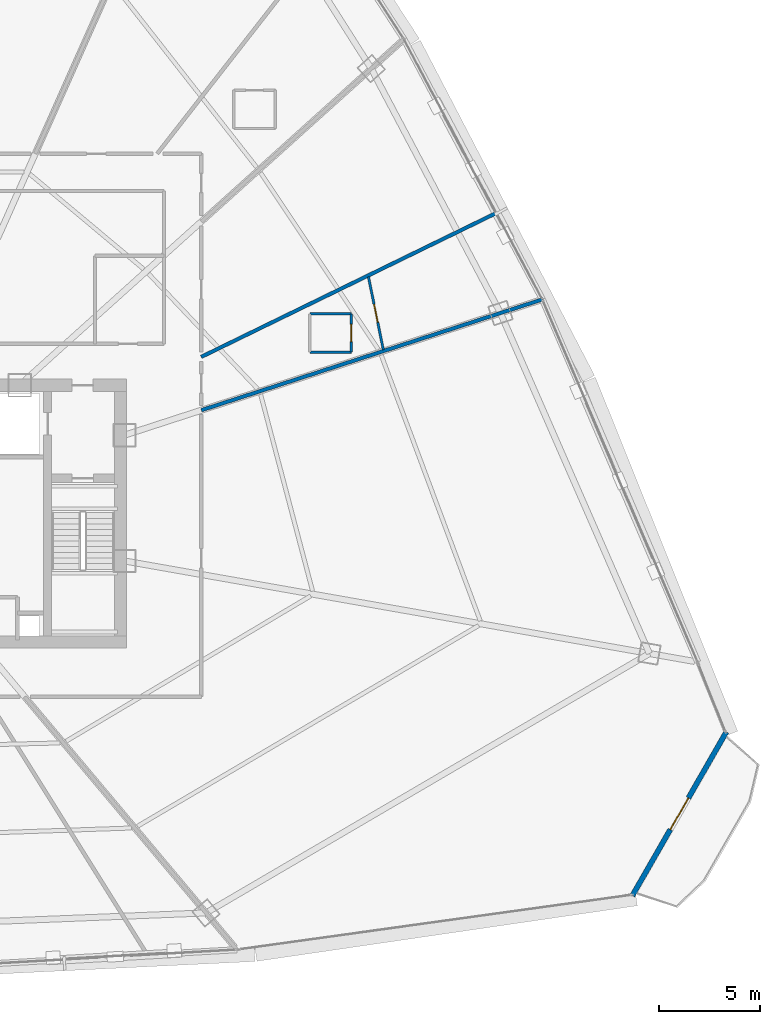
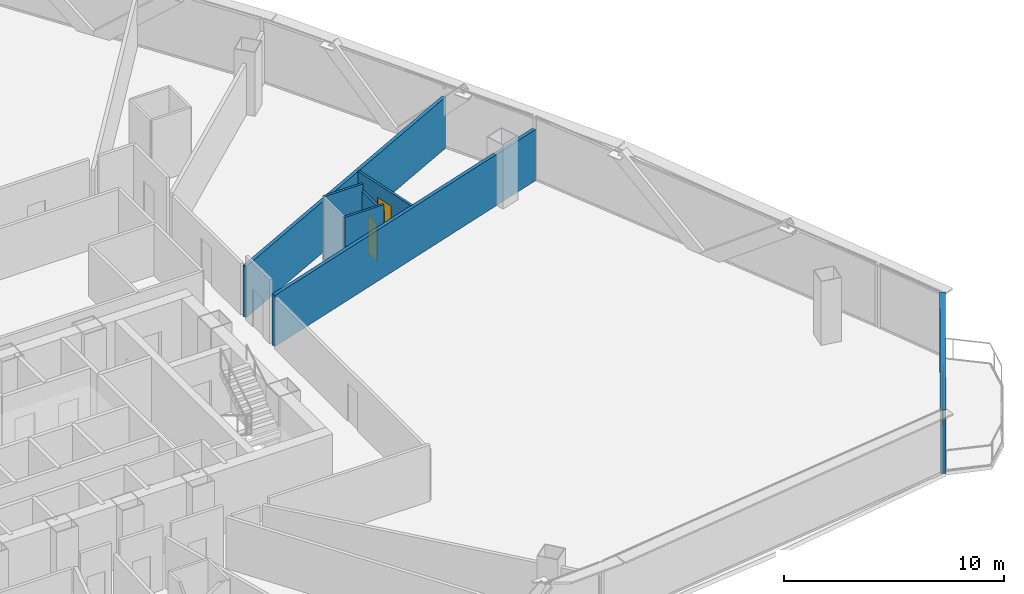
# One storey, part 32 of 37: 7 walls, 3 doors, 3 openings.
"""IFC4 building model written with IfcOpenShell, lengths in metres."""

import ifcopenshell
import ifcopenshell.guid

model = None  # the IFC model being written
_history = None  # IfcOwnerHistory: only IFC2X3 demands one
_inside = {}  # id of a spatial element -> (the spatial element, [elements in it])
_under = {}  # id of a project, library or spatial element -> (it, [spatial elements below it])
_declared = {}  # id of a project -> (the project, [libraries it declares])
_typed = {}  # id of a type object -> (the type object, [elements of that type])
_made_of = {}  # id of a material, layer set ... -> (it, [elements and type objects made of it])


def new_model(schema):
    """Start an empty IFC model of exactly this schema.

    Asked for "IFC4X3", IfcOpenShell would pick the latest addendum, in which some entities
    have other attributes; the version numbers below select the first issue.
    IFC2X3 requires an IfcOwnerHistory on every rooted entity: one is made here for all.
    """
    global model, _history
    if schema == "IFC4X3":
        model = ifcopenshell.file(schema_version=(4, 3, 0, 0))
    else:
        model = ifcopenshell.file(schema=schema)
    _inside.clear()
    _under.clear()
    _declared.clear()
    _typed.clear()
    _made_of.clear()
    _history = None
    if model.schema == "IFC2X3":
        org = make("IfcOrganization", Name="unknown")
        user = make(
            "IfcPersonAndOrganization",
            ThePerson=make("IfcPerson", FamilyName="unknown"),
            TheOrganization=org,
        )
        app = make(
            "IfcApplication",
            ApplicationDeveloper=org,
            Version="unknown",
            ApplicationFullName="unknown",
            ApplicationIdentifier="unknown",
        )
        _history = make(
            "IfcOwnerHistory",
            OwningUser=user,
            OwningApplication=app,
            ChangeAction="ADDED",
            CreationDate=0,
        )
    return model


def make(cls, **values):
    """One entity of the class cls with the attributes given. An attribute that is None is left unset."""
    return model.create_entity(
        cls, **{name: value for name, value in values.items() if value is not None}
    )


def rooted(cls, **values):
    """An entity with a GlobalId (a new one), such as an element, a storey or a relation."""
    return make(cls, GlobalId=ifcopenshell.guid.new(), OwnerHistory=_history, **values)


def si_unit(unit_type, name, prefix=None):
    """IfcSIUnit, for example si_unit("LENGTHUNIT", "METRE", prefix="MILLI")."""
    return make("IfcSIUnit", UnitType=unit_type, Prefix=prefix, Name=name)


def assignment(units):
    """IfcUnitAssignment: the units of a project."""
    return None if units is None else make("IfcUnitAssignment", Units=units)


def point(xyz):
    """IfcCartesianPoint."""
    return None if xyz is None else make("IfcCartesianPoint", Coordinates=xyz)


def direction(xyz):
    """IfcDirection."""
    return None if xyz is None else make("IfcDirection", DirectionRatios=xyz)


def frame(location, z_axis=None, x_axis=None):
    """IfcAxis2Placement3D, a coordinate frame: its origin and axes. An axis left out is left unset."""
    return make(
        "IfcAxis2Placement3D",
        Location=point(location),
        Axis=direction(z_axis),
        RefDirection=direction(x_axis),
    )


def frame_2d(location, x_axis=None):
    """IfcAxis2Placement2D, a coordinate frame in the plane: its origin and x axis."""
    return make(
        "IfcAxis2Placement2D", Location=point(location), RefDirection=direction(x_axis)
    )


def origin():
    """The frame at (0, 0, 0) with its axes left unset."""
    return frame((0.0, 0.0, 0.0))


def origin_with_axes():
    """The frame at (0, 0, 0) with the z axis (0, 0, 1) and the x axis (1, 0, 0) written out."""
    return frame((0.0, 0.0, 0.0), z_axis=(0.0, 0.0, 1.0), x_axis=(1.0, 0.0, 0.0))


def place(relative_to, where):
    """IfcLocalPlacement: puts the frame where relative to a parent placement (None: the world)."""
    return make(
        "IfcLocalPlacement", PlacementRelTo=relative_to, RelativePlacement=where
    )


def context(
    kind, dimensions, precision=None, world=None, true_north=None, identifier=None
):
    """IfcGeometricRepresentationContext, for example the 3D "Model" context."""
    return make(
        "IfcGeometricRepresentationContext",
        ContextIdentifier=identifier,
        ContextType=kind,
        CoordinateSpaceDimension=dimensions,
        Precision=precision,
        WorldCoordinateSystem=world,
        TrueNorth=true_north,
    )


def subcontext(parent, identifier, kind, view, scale=None):
    """IfcGeometricRepresentationSubContext, for example "Body" below "Model"."""
    return make(
        "IfcGeometricRepresentationSubContext",
        ContextIdentifier=identifier,
        ContextType=kind,
        ParentContext=parent,
        TargetScale=scale,
        TargetView=view,
    )


def project(units=None, contexts=None):
    """IfcProject with its units and contexts."""
    return rooted(
        "IfcProject",
        Name="project",
        RepresentationContexts=contexts,
        UnitsInContext=assignment(units),
    )


def spatial(cls, under=None, at=None, **own):
    """A site, building, storey or space (cls), placed at a placement, below another one or the project."""
    s = rooted(cls, ObjectPlacement=at, **own)
    if under is not None:
        _under.setdefault(under.id(), (under, []))[1].append(s)
    return s


def profile(cls, at=None, kind="AREA", **sizes):
    """A parametric profile (cls). Its sizes go by their IFC names, for example OverallWidth=200.0."""
    return make(cls, ProfileType=kind, Position=at, **sizes)


def rectangle(**sizes):
    """IfcRectangleProfileDef."""
    return profile("IfcRectangleProfileDef", **sizes)


def extrude(swept, where, along, depth):
    """IfcExtrudedAreaSolid: the profile swept, set in the frame where, extruded along a direction by depth."""
    return make(
        "IfcExtrudedAreaSolid",
        SweptArea=swept,
        Position=where,
        ExtrudedDirection=direction(along),
        Depth=depth,
    )


def shape(context_of_items, identifier, shape_type, items):
    """IfcShapeRepresentation: the items that make up one representation, for example the "Body"."""
    return make(
        "IfcShapeRepresentation",
        ContextOfItems=context_of_items,
        RepresentationIdentifier=identifier,
        RepresentationType=shape_type,
        Items=items,
    )


def source(mapping_origin, context_of_items, identifier, shape_type, items):
    """IfcRepresentationMap: a shape defined once, which mapped items show again and again."""
    return make(
        "IfcRepresentationMap",
        MappingOrigin=mapping_origin,
        MappedRepresentation=shape(context_of_items, identifier, shape_type, items),
    )


def transform(
    local_origin,
    x_axis=None,
    y_axis=None,
    z_axis=None,
    scale=None,
    scale2=None,
    scale3=None,
    uniform=True,
):
    """IfcCartesianTransformationOperator3D, or its non-uniform kind. x_axis, y_axis, z_axis: its Axis1, 2, 3."""
    if uniform:
        return make(
            "IfcCartesianTransformationOperator3D",
            Axis1=direction(x_axis),
            Axis2=direction(y_axis),
            LocalOrigin=point(local_origin),
            Scale=scale,
            Axis3=direction(z_axis),
        )
    return make(
        "IfcCartesianTransformationOperator3DnonUniform",
        Axis1=direction(x_axis),
        Axis2=direction(y_axis),
        LocalOrigin=point(local_origin),
        Scale=scale,
        Axis3=direction(z_axis),
        Scale2=scale2,
        Scale3=scale3,
    )


def mapped(mapping_source, mapping_target):
    """IfcMappedItem: shows the shape of a source again, moved by a transform."""
    return make(
        "IfcMappedItem", MappingSource=mapping_source, MappingTarget=mapping_target
    )


def material(Name=None, Category=None):
    """IfcMaterial."""
    return make("IfcMaterial", Name=Name, Category=Category)


def layer(
    of_material, thickness, ventilated=None, Name=None, Category=None, Priority=None
):
    """IfcMaterialLayer: one layer of a wall or slab, of a material (None: an air gap)."""
    return make(
        "IfcMaterialLayer",
        Material=of_material,
        LayerThickness=thickness,
        IsVentilated=ventilated,
        Name=Name,
        Category=Category,
        Priority=Priority,
    )


def layer_set(layers, Name=None):
    """IfcMaterialLayerSet."""
    return make("IfcMaterialLayerSet", MaterialLayers=layers, LayerSetName=Name)


def made_of(thing, what):
    """Note that an element or type object is made of a material, layer set ...; save() writes the relation."""
    if what is not None:
        _made_of.setdefault(what.id(), (what, []))[1].append(thing)
    return thing


def type_object(cls, material=None, **own):
    """A type object (cls), such as IfcWallType, which elements share."""
    return made_of(rooted(cls, **own), material)


def element(
    cls,
    number,
    at=None,
    inside=None,
    cuts=None,
    type_object=None,
    material=None,
    context=None,
    identifier="Body",
    shape_type=None,
    held_by="IfcProductDefinitionShape",
    body=None,
    shapes=None,
    **own,
):
    """One element of the class cls, such as IfcWall. Its Tag is "e" and its number.

    at: its placement. inside: the storey or other place that contains it. cuts: it is an
    opening in that element (IfcRelVoidsElement). A single representation is given by context,
    identifier, shape_type and body (its items); several are given by shapes. held_by: the class
    of the entity that holds the representations. save() writes the other relations.
    """
    e = rooted(cls, Tag="e%d" % number, ObjectPlacement=at, **own)
    if body is not None:
        shapes = [shape(context, identifier, shape_type, body)]
    if shapes is not None:
        e.Representation = make(held_by, Representations=shapes)
    if inside is not None:
        _inside.setdefault(inside.id(), (inside, []))[1].append(e)
    if cuts is not None:
        rooted(
            "IfcRelVoidsElement", RelatingBuildingElement=cuts, RelatedOpeningElement=e
        )
    if type_object is not None:
        _typed.setdefault(type_object.id(), (type_object, []))[1].append(e)
    return made_of(e, material)


def fill(opening, filler):
    """IfcRelFillsElement: the door or window that sits in an opening."""
    return rooted(
        "IfcRelFillsElement",
        RelatingOpeningElement=opening,
        RelatedBuildingElement=filler,
    )


def aggregate(whole, parts):
    """IfcRelAggregates: a whole, such as a stair, and the parts it consists of."""
    return rooted("IfcRelAggregates", RelatingObject=whole, RelatedObjects=parts)


def save(model, path):
    """Write the relations noted so far, then the file.

    IfcRelAggregates (storeys below a building ...), IfcRelContainedInSpatialStructure (elements
    in a storey), IfcRelDefinesByType, IfcRelAssociatesMaterial and IfcRelDeclares: one each for
    every whole, place, type object, material and project.
    """
    for whole, parts in _under.values():
        aggregate(whole, parts)
    for where, things in _inside.values():
        rooted(
            "IfcRelContainedInSpatialStructure",
            RelatedElements=things,
            RelatingStructure=where,
        )
    for kind, things in _typed.values():
        rooted("IfcRelDefinesByType", RelatedObjects=things, RelatingType=kind)
    for what, things in _made_of.values():
        rooted("IfcRelAssociatesMaterial", RelatedObjects=things, RelatingMaterial=what)
    for by, libraries in _declared.values():
        rooted("IfcRelDeclares", RelatingContext=by, RelatedDefinitions=libraries)
    model.write(path)


model = new_model("IFC4")

# Units and contexts
model_context = context("Model", 3, precision=1e-05, world=origin(), true_north=direction((0.0, 1.0)))
body_context = subcontext(model_context, "Body", "Model", "MODEL_VIEW")
ifc_project = project(units=[si_unit("LENGTHUNIT", "METRE"), si_unit("AREAUNIT", "SQUARE_METRE"), si_unit("VOLUMEUNIT", "CUBIC_METRE"), si_unit("PLANEANGLEUNIT", "RADIAN"), si_unit("MASSUNIT", "GRAM", prefix="KILO"), si_unit("THERMODYNAMICTEMPERATUREUNIT", "KELVIN"), si_unit("POWERUNIT", "WATT")], contexts=[model_context])

# Site, building, storey
site_placement = place(None, origin())
site = spatial("IfcSite", under=ifc_project, at=site_placement, CompositionType="ELEMENT")
building_placement = place(site_placement, origin())
building = spatial("IfcBuilding", under=site, at=building_placement, Name="Yunzhuo Pagoda Commons", CompositionType="ELEMENT")
storey_placement = place(building_placement, frame((0.0, 0.0, 88.780029296875)))
storey = spatial("IfcBuildingStorey", under=building, at=storey_placement, Name="L22", CompositionType="ELEMENT", Elevation=88.780029296875)

# Wall, opening, door
ifc_material_1 = material(Name="Precast concrete C40", Category="concrete")
ifc_layer_1 = layer(ifc_material_1, 0.260009765625)
ifc_layer_set_1 = layer_set([ifc_layer_1], Name="Precast concrete C40")
wall_type_1 = type_object("IfcWallType", Name="W-BAL1 Corner Balcony Threshold Wall 260", PredefinedType="STANDARD", material=ifc_layer_set_1)
wall_1_placement = place(storey_placement, frame((85.510009765625, 14.963134765625, 0.0), z_axis=(0.0, 0.0, 1.0), x_axis=(0.497922114025, 0.867221752705, 0.0)))
wall_1 = element("IfcWall", 1, at=wall_1_placement, inside=storey, type_object=wall_type_1, Name="L22 corner balcony wall V2", PredefinedType="STANDARD", context=body_context, shape_type="SweptSolid", body=[
    extrude(rectangle(XDim=9.342529296875, YDim=0.260009765625, at=frame_2d((4.67138671875, 0.0))), origin(), (0.0, 0.0, 1.0), 3.5400390625),
])
opening_1_placement = place(wall_1_placement, frame((3.771240234375, 0.0, 0.0)))
opening_1 = element("IfcOpeningElement", 2, at=opening_1_placement, cuts=wall_1, Name="Opening D-BAL1", PredefinedType="OPENING", context=body_context, shape_type="SweptSolid", body=[
    extrude(rectangle(XDim=1.800048828125, YDim=2.14990234375, at=frame_2d((0.89990234375, 1.074951171875))), frame((0.0, 0.14013671875, 0.0), z_axis=(0.0, -1.0, 0.0), x_axis=(1.0, 0.0, 0.0)), (0.0, 0.0, 1.0), 0.280029296875),
])
ifc_material_2 = material(Name="Anodized aluminium frame and tempered glazed leaf", Category="aluminium")
door_type_1 = type_object("IfcDoorType", Name="D-BAL1 Corner Balcony Sliding Glazed Door 1800x2150", OperationType="DOUBLE_DOOR_SLIDING", PredefinedType="DOOR", material=ifc_material_2)
shared_shape_1 = source(origin(), body_context, "Body", "SweptSolid", [
    extrude(rectangle(XDim=1.800048828125, YDim=2.14990234375, at=frame_2d((0.89990234375, 1.074951171875))), frame((0.0, 0.02490234375, 0.0), z_axis=(0.0, -1.0, 0.0), x_axis=(1.0, 0.0, 0.0)), (0.0, 0.0, 1.0), 0.050048828125),
])
door_1_placement = place(opening_1_placement, origin_with_axes())
door_1 = element("IfcDoor", 3, at=door_1_placement, inside=storey, type_object=door_type_1, Name="L22 corner balcony sliding door V2", OperationType="DOUBLE_DOOR_SLIDING", OverallHeight=2.14990234375, OverallWidth=1.800048828125, PredefinedType="DOOR", context=body_context, shape_type="MappedRepresentation", body=[
    mapped(shared_shape_1, transform((0.0, 0.0, 0.0), scale=1.0)),
])
fill(opening_1, door_1)

# Wall
ifc_material_3 = material(Name="Gypsum plasterboard on acoustic stud")
ifc_layer_2 = layer(ifc_material_3, 0.1201171875)
ifc_layer_set_2 = layer_set([ifc_layer_2], Name="Gypsum plasterboard on acoustic stud")
wall_type_2 = type_object("IfcWallType", Name="W-PRT1 Suite & Bathroom Partition 120", PredefinedType="PARTITIONING", material=ifc_layer_set_2)
wall_2_placement = place(storey_placement, frame((69.571044921875, 41.833984375, 0.0), z_axis=(0.0, 0.0, 1.0), x_axis=(1.0, 0.0, 0.0)))
element("IfcWall", 4, at=wall_2_placement, inside=storey, type_object=wall_type_2, Name="L22 interior wall IW-L22-B01S", PredefinedType="PARTITIONING", context=body_context, shape_type="SweptSolid", body=[
    extrude(rectangle(XDim=2.050048828125, YDim=0.1201171875, at=frame_2d((1.02490234375, 0.0))), origin(), (0.0, 0.0, 1.0), 3.5400390625),
])

# Wall, opening, door
wall_3_placement = place(storey_placement, frame((71.62109375, 41.833984375, 0.0), z_axis=(0.0, 0.0, 1.0), x_axis=(0.0, 1.0, 0.0)))
wall_3 = element("IfcWall", 5, at=wall_3_placement, inside=storey, type_object=wall_type_2, Name="L22 interior wall IW-L22-B01E", PredefinedType="PARTITIONING", context=body_context, shape_type="SweptSolid", body=[
    extrude(rectangle(XDim=1.89990234375, YDim=0.1201171875, at=frame_2d((0.949951171875, 0.0))), origin(), (0.0, 0.0, 1.0), 3.139892578125),
])
opening_2_placement = place(wall_3_placement, frame((0.52490234375, 0.0, 0.0)))
opening_2 = element("IfcOpeningElement", 6, at=opening_2_placement, cuts=wall_3, Name="Opening D-05", PredefinedType="OPENING", context=body_context, shape_type="SweptSolid", body=[
    extrude(rectangle(XDim=0.85009765625, YDim=2.10009765625, at=frame_2d((0.425048828125, 1.050048828125))), frame((0.0, 0.070068359375, 0.0), z_axis=(0.0, -1.0, 0.0), x_axis=(1.0, 0.0, 0.0)), (0.0, 0.0, 1.0), 0.14013671875),
])
ifc_material_4 = material(Name="Powder-coated aluminium and timber acoustic leaf", Category="wood")
door_type_2 = type_object("IfcDoorType", Name="D-05 En-Suite Bathroom Door 850x2100", OperationType="NOTDEFINED", PredefinedType="DOOR", material=ifc_material_4)
shared_shape_2 = source(origin(), body_context, "Body", "SweptSolid", [
    extrude(rectangle(XDim=0.85009765625, YDim=2.10009765625, at=frame_2d((0.425048828125, 1.050048828125))), frame((0.0, 0.02490234375, 0.0), z_axis=(0.0, -1.0, 0.0), x_axis=(1.0, 0.0, 0.0)), (0.0, 0.0, 1.0), 0.050048828125),
])
door_2_placement = place(opening_2_placement, frame((0.85009765625, 0.0, 0.0), z_axis=(0.0, 0.0, 1.0), x_axis=(-1.0, 0.0, 0.0)))
door_2 = element("IfcDoor", 7, at=door_2_placement, inside=storey, type_object=door_type_2, Name="L22 unit 01 bathroom door", OperationType="SINGLE_SWING_LEFT", OverallHeight=2.10009765625, OverallWidth=0.85009765625, PredefinedType="DOOR", context=body_context, shape_type="MappedRepresentation", body=[
    mapped(shared_shape_2, transform((0.0, 0.0, 0.0), scale=1.0)),
])
fill(opening_2, door_2)

# Wall
wall_4_placement = place(storey_placement, frame((71.62109375, 43.73388671875, 0.0), z_axis=(0.0, 0.0, 1.0), x_axis=(-1.0, 0.0, 0.0)))
element("IfcWall", 8, at=wall_4_placement, inside=storey, type_object=wall_type_2, Name="L22 interior wall IW-L22-B01N", PredefinedType="PARTITIONING", context=body_context, shape_type="SweptSolid", body=[
    extrude(rectangle(XDim=2.050048828125, YDim=0.1201171875, at=frame_2d((1.02490234375, 0.0))), origin(), (0.0, 0.0, 1.0), 3.5400390625),
])

# Wall, opening, door
wall_5_placement = place(storey_placement, frame((73.199951171875, 41.950927734375, 0.0), z_axis=(0.0, 0.0, 1.0), x_axis=(-0.199717476268, 0.979853524601, 0.0)))
wall_5 = element("IfcWall", 9, at=wall_5_placement, inside=storey, type_object=wall_type_2, Name="L22 interior wall IW-L22-CLB01", PredefinedType="PARTITIONING", context=body_context, shape_type="SweptSolid", body=[
    extrude(rectangle(XDim=3.68798828125, YDim=0.1201171875, at=frame_2d((1.843994140625, 0.0))), origin(), (0.0, 0.0, 1.0), 2.840087890625),
])
opening_3_placement = place(wall_5_placement, frame((1.384033203125, 0.0, 0.0)))
opening_3 = element("IfcOpeningElement", 10, at=opening_3_placement, cuts=wall_5, Name="Opening D-04", PredefinedType="OPENING", context=body_context, shape_type="SweptSolid", body=[
    extrude(rectangle(XDim=0.919921875, YDim=2.10009765625, at=frame_2d((0.4599609375, 1.050048828125))), frame((0.0, 0.070068359375, 0.0), z_axis=(0.0, -1.0, 0.0), x_axis=(1.0, 0.0, 0.0)), (0.0, 0.0, 1.0), 0.14013671875),
])
door_type_3 = type_object("IfcDoorType", Name="D-04 Bedroom & Study Interior Door 920x2100", OperationType="NOTDEFINED", PredefinedType="DOOR", material=ifc_material_4)
shared_shape_3 = source(origin(), body_context, "Body", "SweptSolid", [
    extrude(rectangle(XDim=0.919921875, YDim=2.10009765625, at=frame_2d((0.4599609375, 1.050048828125))), frame((0.0, 0.02490234375, 0.0), z_axis=(0.0, -1.0, 0.0), x_axis=(1.0, 0.0, 0.0)), (0.0, 0.0, 1.0), 0.050048828125),
])
door_3_placement = place(opening_3_placement, origin_with_axes())
door_3 = element("IfcDoor", 11, at=door_3_placement, inside=storey, type_object=door_type_3, Name="L22 suite 01 bedroom door", OperationType="SINGLE_SWING_LEFT", OverallHeight=2.10009765625, OverallWidth=0.919921875, PredefinedType="DOOR", context=body_context, shape_type="MappedRepresentation", body=[
    mapped(shared_shape_3, transform((0.0, 0.0, 0.0), scale=1.0)),
])
fill(opening_3, door_3)

# Walls
ifc_layer_3 = layer(ifc_material_3, 0.179931640625)
ifc_layer_set_3 = layer_set([ifc_layer_3], Name="Gypsum plasterboard on acoustic stud")
wall_type_3 = type_object("IfcWallType", Name="W-PRT2 Acoustic Unit Demising Wall 180", PredefinedType="PARTITIONING", material=ifc_layer_set_3)
wall_6_placement = place(storey_placement, frame((64.199951171875, 38.963623046875, 0.0), z_axis=(0.0, 0.0, 1.0), x_axis=(0.951054301474, 0.309023810812, 0.0)))
element("IfcWall", 12, at=wall_6_placement, inside=storey, type_object=wall_type_3, Name="L22 interior wall IW-L22-RAD01", PredefinedType="PARTITIONING", context=body_context, shape_type="SweptSolid", body=[
    extrude(rectangle(XDim=17.733154296875, YDim=0.179931640625, at=frame_2d((8.86669921875, 0.0))), origin(), (0.0, 0.0, 1.0), 2.840087890625),
])
wall_7_placement = place(storey_placement, frame((64.199951171875, 41.601318359375, 0.0), z_axis=(0.0, 0.0, 1.0), x_axis=(0.898796049991, 0.438367038588, 0.0)))
element("IfcWall", 13, at=wall_7_placement, inside=storey, type_object=wall_type_3, Name="L22 interior wall IW-L22-RAD02", PredefinedType="PARTITIONING", context=body_context, shape_type="SweptSolid", body=[
    extrude(rectangle(XDim=16.234130859375, YDim=0.179931640625, at=frame_2d((8.1171875, 0.0))), origin(), (0.0, 0.0, 1.0), 2.840087890625),
])

save(model, "model.ifc")
